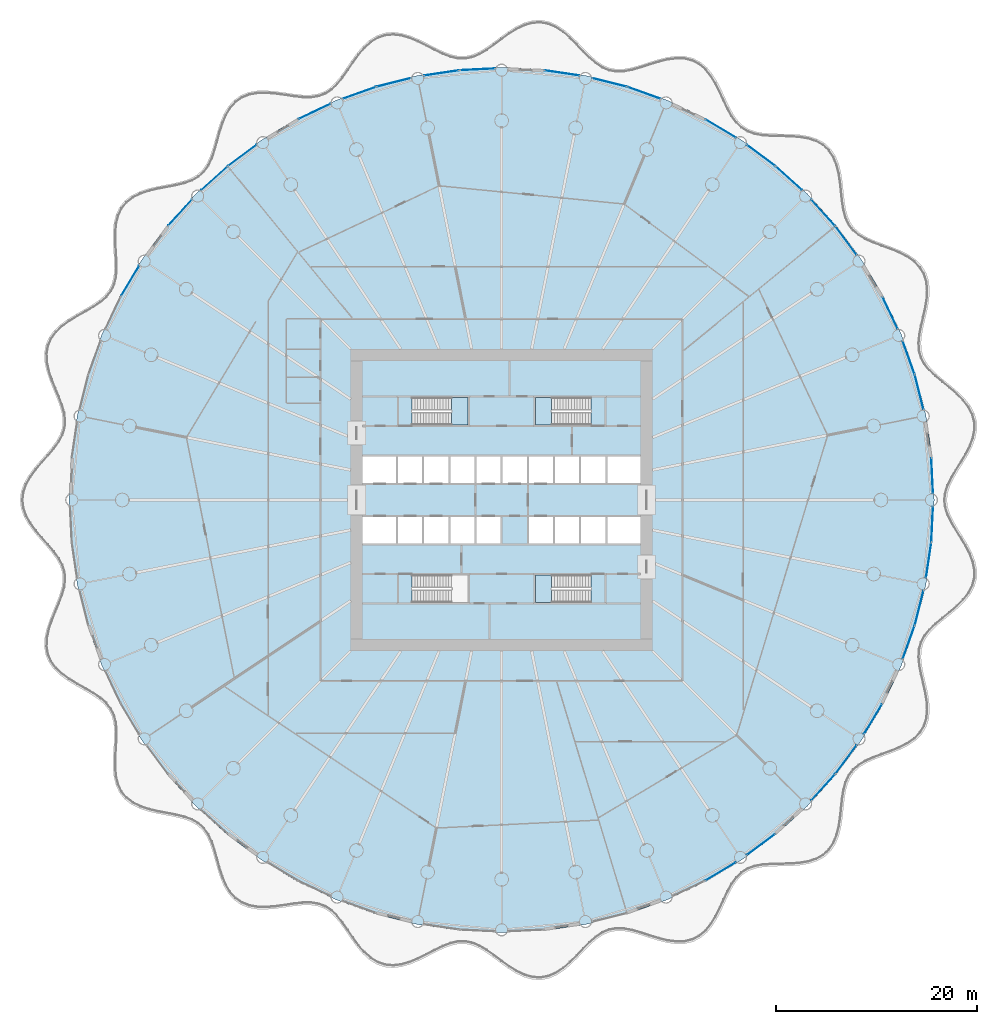
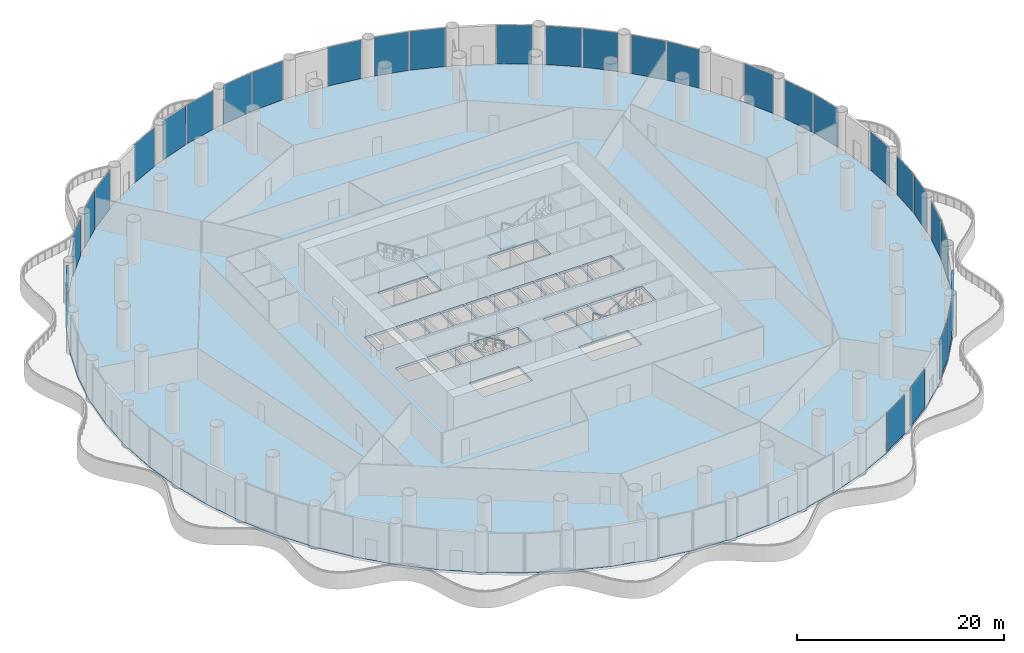
# One storey, part 21 of 35: 30 plates, 4 slabs, 33 elements without a shape of their own.
"""IFC4 building model written with IfcOpenShell, lengths in metres."""

from ifc_helpers import new_model, si_unit, direction, frame, origin, origin_2d, place, context, subcontext, project, spatial, polyline, rectangle, outline, extrude, material, layer, layer_set, type_object, element, aggregate, save


model = new_model("IFC4")

# Units and contexts
model_context = context("Model", 3, precision=1e-05, world=origin(), true_north=direction((0.0, 1.0)))
body_context = subcontext(model_context, "Body", "Model", "MODEL_VIEW")
ifc_project = project(units=[si_unit("LENGTHUNIT", "METRE"), si_unit("AREAUNIT", "SQUARE_METRE"), si_unit("VOLUMEUNIT", "CUBIC_METRE"), si_unit("PLANEANGLEUNIT", "RADIAN"), si_unit("MASSUNIT", "GRAM", prefix="KILO")], contexts=[model_context])

# Site, building, storey
site_placement = place(None, origin())
site = spatial("IfcSite", under=ifc_project, at=site_placement, CompositionType="ELEMENT")
building_placement = place(site_placement, origin())
building = spatial("IfcBuilding", under=site, at=building_placement, Name="Corvane Civic Tower", CompositionType="ELEMENT")
storey_placement = place(building_placement, frame((0.0, 0.0, 22.0)))
storey = spatial("IfcBuildingStorey", under=building, at=storey_placement, Name="L04", CompositionType="ELEMENT", Elevation=22.0)

# Slab
ifc_material_1 = material(Name="Concrete C40/50", Category="concrete")
ifc_layer_1 = layer(ifc_material_1, 0.300048828125)
ifc_layer_set_1 = layer_set([ifc_layer_1], Name="Concrete C40/50")
slab_type_1 = type_object("IfcSlabType", Name="FLOOR SLAB 300", PredefinedType="FLOOR", material=ifc_layer_set_1)
slab_1_placement = place(storey_placement, frame((0.0, 0.0, -0.300048828125)))
element("IfcSlab", 1, at=slab_1_placement, inside=storey, type_object=slab_type_1, Name="SLB-L04", PredefinedType="FLOOR", context=body_context, shape_type="SweptSolid", body=[
    extrude(outline(polyline([(0.0, 43.0), (-4.21484375, 42.79296875), (-8.388916015625, 42.173828125), (-12.482177734375, 41.1484375), (-16.455322265625, 39.726806640625), (-20.27001953125, 37.922607421875), (-23.889404296875, 35.753173828125), (-27.27880859375, 33.239501953125), (-30.405517578125, 30.405517578125), (-33.239501953125, 27.27880859375), (-35.753173828125, 23.889404296875), (-37.922607421875, 20.27001953125), (-39.726806640625, 16.455322265625), (-41.1484375, 12.482177734375), (-42.173828125, 8.388916015625), (-42.79296875, 4.21484375), (-43.0, 0.0), (-42.79296875, -4.21484375), (-42.173828125, -8.388916015625), (-41.1484375, -12.482177734375), (-39.726806640625, -16.455322265625), (-37.922607421875, -20.27001953125), (-35.753173828125, -23.889404296875), (-33.239501953125, -27.27880859375), (-30.405517578125, -30.405517578125), (-27.27880859375, -33.239501953125), (-23.889404296875, -35.753173828125), (-20.27001953125, -37.922607421875), (-16.455322265625, -39.726806640625), (-12.482177734375, -41.1484375), (-8.388916015625, -42.173828125), (-4.21484375, -42.79296875), (0.0, -43.0), (4.21484375, -42.79296875), (8.388916015625, -42.173828125), (12.482177734375, -41.1484375), (16.455322265625, -39.726806640625), (20.27001953125, -37.922607421875), (23.889404296875, -35.753173828125), (27.27880859375, -33.239501953125), (30.405517578125, -30.405517578125), (33.239501953125, -27.27880859375), (35.753173828125, -23.889404296875), (37.922607421875, -20.27001953125), (39.726806640625, -16.455322265625), (41.1484375, -12.482177734375), (42.173828125, -8.388916015625), (42.79296875, -4.21484375), (43.0, 0.0), (42.79296875, 4.21484375), (42.173828125, 8.388916015625), (41.1484375, 12.482177734375), (39.726806640625, 16.455322265625), (37.922607421875, 20.27001953125), (35.753173828125, 23.889404296875), (33.239501953125, 27.27880859375), (30.405517578125, 30.405517578125), (27.27880859375, 33.239501953125), (23.889404296875, 35.753173828125), (20.27001953125, 37.922607421875), (16.455322265625, 39.726806640625), (12.482177734375, 41.1484375), (8.388916015625, 42.173828125), (4.21484375, 42.79296875), (0.0, 43.0)]), holes=[polyline([(-13.800048828125, 4.300048828125), (-10.5, 4.300048828125), (-10.5, 1.699951171875), (-13.800048828125, 1.699951171875), (-13.800048828125, 4.300048828125)]), polyline([(-7.89990234375, 1.699951171875), (-10.300048828125, 1.699951171875), (-10.300048828125, 4.300048828125), (-7.89990234375, 4.300048828125), (-7.89990234375, 1.699951171875)]), polyline([(-7.699951171875, 4.300048828125), (-5.300048828125, 4.300048828125), (-5.300048828125, 1.699951171875), (-7.699951171875, 1.699951171875), (-7.699951171875, 4.300048828125)]), polyline([(-5.10009765625, 4.300048828125), (-2.699951171875, 4.300048828125), (-2.699951171875, 1.699951171875), (-5.10009765625, 1.699951171875), (-5.10009765625, 4.300048828125)]), polyline([(-2.5, 4.300048828125), (-0.10009765625, 4.300048828125), (-0.10009765625, 1.699951171875), (-2.5, 1.699951171875), (-2.5, 4.300048828125)]), polyline([(2.5, 1.699951171875), (0.10009765625, 1.699951171875), (0.10009765625, 4.300048828125), (2.5, 4.300048828125), (2.5, 1.699951171875)]), polyline([(5.10009765625, 1.699951171875), (2.699951171875, 1.699951171875), (2.699951171875, 4.300048828125), (5.10009765625, 4.300048828125), (5.10009765625, 1.699951171875)]), polyline([(5.300048828125, 4.300048828125), (7.699951171875, 4.300048828125), (7.699951171875, 1.699951171875), (5.300048828125, 1.699951171875), (5.300048828125, 4.300048828125)]), polyline([(7.89990234375, 4.300048828125), (10.300048828125, 4.300048828125), (10.300048828125, 1.699951171875), (7.89990234375, 1.699951171875), (7.89990234375, 4.300048828125)]), polyline([(13.800048828125, 1.699951171875), (10.5, 1.699951171875), (10.5, 4.300048828125), (13.800048828125, 4.300048828125), (13.800048828125, 1.699951171875)]), polyline([(-13.800048828125, -1.699951171875), (-10.5, -1.699951171875), (-10.5, -4.300048828125), (-13.800048828125, -4.300048828125), (-13.800048828125, -1.699951171875)]), polyline([(-10.300048828125, -1.699951171875), (-7.89990234375, -1.699951171875), (-7.89990234375, -4.300048828125), (-10.300048828125, -4.300048828125), (-10.300048828125, -1.699951171875)]), polyline([(-7.699951171875, -1.699951171875), (-5.300048828125, -1.699951171875), (-5.300048828125, -4.300048828125), (-7.699951171875, -4.300048828125), (-7.699951171875, -1.699951171875)]), polyline([(-5.10009765625, -1.699951171875), (-2.699951171875, -1.699951171875), (-2.699951171875, -4.300048828125), (-5.10009765625, -4.300048828125), (-5.10009765625, -1.699951171875)]), polyline([(-2.5, -1.699951171875), (-0.10009765625, -1.699951171875), (-0.10009765625, -4.300048828125), (-2.5, -4.300048828125), (-2.5, -1.699951171875)]), polyline([(2.699951171875, -1.699951171875), (5.10009765625, -1.699951171875), (5.10009765625, -4.300048828125), (2.699951171875, -4.300048828125), (2.699951171875, -1.699951171875)]), polyline([(5.300048828125, -4.300048828125), (5.300048828125, -1.699951171875), (7.699951171875, -1.699951171875), (7.699951171875, -4.300048828125), (5.300048828125, -4.300048828125)]), polyline([(7.89990234375, -4.300048828125), (7.89990234375, -1.699951171875), (10.300048828125, -1.699951171875), (10.300048828125, -4.300048828125), (7.89990234375, -4.300048828125)]), polyline([(13.800048828125, -4.300048828125), (10.5, -4.300048828125), (10.5, -1.699951171875), (13.800048828125, -1.699951171875), (13.800048828125, -4.300048828125)]), polyline([(8.889892578125, 10.199951171875), (8.889892578125, 7.449951171875), (3.35009765625, 7.449951171875), (3.35009765625, 10.199951171875), (8.889892578125, 10.199951171875)]), polyline([(-8.889892578125, 7.449951171875), (-8.889892578125, 10.199951171875), (-3.35009765625, 10.199951171875), (-3.35009765625, 7.449951171875), (-8.889892578125, 7.449951171875)]), polyline([(8.889892578125, -7.449951171875), (8.889892578125, -10.199951171875), (3.35009765625, -10.199951171875), (3.35009765625, -7.449951171875), (8.889892578125, -7.449951171875)]), polyline([(-8.889892578125, -10.199951171875), (-8.889892578125, -7.449951171875), (-3.35009765625, -7.449951171875), (-3.35009765625, -10.199951171875), (-8.889892578125, -10.199951171875)])]), origin(), (0.0, 0.0, 1.0), 0.300048828125),
])

# Curtain wall, plate
ifc_material_2 = material(Name="Aluminium and glass", Category="aluminium")
curtain_wall_type = type_object("IfcCurtainWallType", Name="PODIUM-CW-P-RUN", PredefinedType="NOTDEFINED", material=ifc_material_2)
curtain_wall_1_placement = place(storey_placement, origin())
curtain_wall_1 = element("IfcCurtainWall", 2, at=curtain_wall_1_placement, inside=storey, type_object=curtain_wall_type, Name="PODI run L04-drum-01B", PredefinedType="NOTDEFINED")
ifc_material_3 = material(Name="Glass tinted low-e laminated", Category="glass")
ifc_layer_2 = layer(ifc_material_3, 0.031982421875)
ifc_layer_set_2 = layer_set([ifc_layer_2], Name="Glass tinted low-e laminated")
plate_type = type_object("IfcPlateType", Name="PODIUM-CWP-PANEL-IGU32", PredefinedType="CURTAIN_PANEL", material=ifc_layer_set_2)
plate_1_placement = place(storey_placement, frame((5.991943359375, 42.4384765625, 0.06005859375), z_axis=(0.0, 0.0, 1.0), x_axis=(0.989178850608, -0.146714694252, 0.0)))
plate_1 = element("IfcPlate", 3, at=plate_1_placement, type_object=plate_type, Name="CW-P panel 1.1", PredefinedType="CURTAIN_PANEL", context=body_context, shape_type="SweptSolid", body=[
    extrude(rectangle(XDim=3.459716796875, YDim=0.031982421875, at=origin_2d()), origin(), (0.0, 0.0, 1.0), 4.580078125),
])
aggregate(curtain_wall_1, [plate_1])

curtain_wall_2_placement = place(storey_placement, origin())
curtain_wall_2 = element("IfcCurtainWall", 4, at=curtain_wall_2_placement, inside=storey, type_object=curtain_wall_type, Name="PODI run L04-drum-02A", PredefinedType="NOTDEFINED")
plate_2_placement = place(storey_placement, frame((10.70458984375, 41.5009765625, 0.06005859375), z_axis=(0.0, 0.0, 1.0), x_axis=(0.970024070659, -0.243008852393, 0.0)))
plate_2 = element("IfcPlate", 5, at=plate_2_placement, type_object=plate_type, Name="CW-P panel 1.1", PredefinedType="CURTAIN_PANEL", context=body_context, shape_type="SweptSolid", body=[
    extrude(rectangle(XDim=3.459716796875, YDim=0.031982421875, at=origin_2d()), origin(), (0.0, 0.0, 1.0), 4.580078125),
])
aggregate(curtain_wall_2, [plate_2])

curtain_wall_3_placement = place(storey_placement, origin())
curtain_wall_3 = element("IfcCurtainWall", 6, at=curtain_wall_3_placement, inside=storey, type_object=curtain_wall_type, Name="PODI run L04-drum-02B", PredefinedType="NOTDEFINED")
plate_3_placement = place(storey_placement, frame((14.156005859375, 40.453857421875, 0.06005859375), z_axis=(0.0, 0.0, 1.0), x_axis=(0.941533802561, -0.336918534123, 0.0)))
plate_3 = element("IfcPlate", 7, at=plate_3_placement, type_object=plate_type, Name="CW-P panel 1.1", PredefinedType="CURTAIN_PANEL", context=body_context, shape_type="SweptSolid", body=[
    extrude(rectangle(XDim=3.459716796875, YDim=0.031982421875, at=origin_2d()), origin(), (0.0, 0.0, 1.0), 4.580078125),
])
aggregate(curtain_wall_3, [plate_3])

curtain_wall_4_placement = place(storey_placement, origin())
curtain_wall_4 = element("IfcCurtainWall", 8, at=curtain_wall_4_placement, inside=storey, type_object=curtain_wall_type, Name="PODI run L04-drum-03B", PredefinedType="NOTDEFINED")
plate_4_placement = place(storey_placement, frame((21.776123046875, 36.914794921875, 0.06005859375), z_axis=(0.0, 0.0, 1.0), x_axis=(0.857719609779, -0.514117759857, 0.0)))
plate_4 = element("IfcPlate", 9, at=plate_4_placement, type_object=plate_type, Name="CW-P panel 1.1", PredefinedType="CURTAIN_PANEL", context=body_context, shape_type="SweptSolid", body=[
    extrude(rectangle(XDim=3.459716796875, YDim=0.031982421875, at=origin_2d()), origin(), (0.0, 0.0, 1.0), 4.580078125),
])
aggregate(curtain_wall_4, [plate_4])

curtain_wall_5_placement = place(storey_placement, origin())
curtain_wall_5 = element("IfcCurtainWall", 10, at=curtain_wall_5_placement, inside=storey, type_object=curtain_wall_type, Name="PODI run L04-drum-04A", PredefinedType="NOTDEFINED")
plate_5_placement = place(storey_placement, frame((25.771484375, 34.245361328125, 0.06005859375), z_axis=(0.0, 0.0, 1.0), x_axis=(0.803203229747, -0.595705104665, 0.0)))
plate_5 = element("IfcPlate", 11, at=plate_5_placement, type_object=plate_type, Name="CW-P panel 1.1", PredefinedType="CURTAIN_PANEL", context=body_context, shape_type="SweptSolid", body=[
    extrude(rectangle(XDim=3.459716796875, YDim=0.031982421875, at=origin_2d()), origin(), (0.0, 0.0, 1.0), 4.580078125),
])
aggregate(curtain_wall_5, [plate_5])

curtain_wall_6_placement = place(storey_placement, origin())
curtain_wall_6 = element("IfcCurtainWall", 12, at=curtain_wall_6_placement, inside=storey, type_object=curtain_wall_type, Name="PODI run L04-drum-04B", PredefinedType="NOTDEFINED")
plate_6_placement = place(storey_placement, frame((28.5595703125, 31.957275390625, 0.06005859375), z_axis=(0.0, 0.0, 1.0), x_axis=(0.740935261089, -0.671576457952, 0.0)))
plate_6 = element("IfcPlate", 13, at=plate_6_placement, type_object=plate_type, Name="CW-P panel 1.1", PredefinedType="CURTAIN_PANEL", context=body_context, shape_type="SweptSolid", body=[
    extrude(rectangle(XDim=3.4599609375, YDim=0.031982421875, at=origin_2d()), origin(), (0.0, 0.0, 1.0), 4.580078125),
])
aggregate(curtain_wall_6, [plate_6])

curtain_wall_7_placement = place(storey_placement, origin())
curtain_wall_7 = element("IfcCurtainWall", 14, at=curtain_wall_7_placement, inside=storey, type_object=curtain_wall_type, Name="PODI run L04-drum-05A", PredefinedType="NOTDEFINED")
plate_7_placement = place(storey_placement, frame((31.957275390625, 28.5595703125, 0.06005859375), z_axis=(0.0, 0.0, 1.0), x_axis=(0.671576457952, -0.740935261089, 0.0)))
plate_7 = element("IfcPlate", 15, at=plate_7_placement, type_object=plate_type, Name="CW-P panel 1.1", PredefinedType="CURTAIN_PANEL", context=body_context, shape_type="SweptSolid", body=[
    extrude(rectangle(XDim=3.4599609375, YDim=0.031982421875, at=origin_2d()), origin(), (0.0, 0.0, 1.0), 4.580078125),
])
aggregate(curtain_wall_7, [plate_7])

curtain_wall_8_placement = place(storey_placement, origin())
curtain_wall_8 = element("IfcCurtainWall", 16, at=curtain_wall_8_placement, inside=storey, type_object=curtain_wall_type, Name="PODI run L04-drum-05B", PredefinedType="NOTDEFINED")
plate_8_placement = place(storey_placement, frame((34.245361328125, 25.771484375, 0.06005859375), z_axis=(0.0, 0.0, 1.0), x_axis=(0.595705104665, -0.803203229747, 0.0)))
plate_8 = element("IfcPlate", 17, at=plate_8_placement, type_object=plate_type, Name="CW-P panel 1.1", PredefinedType="CURTAIN_PANEL", context=body_context, shape_type="SweptSolid", body=[
    extrude(rectangle(XDim=3.459716796875, YDim=0.031982421875, at=origin_2d()), origin(), (0.0, 0.0, 1.0), 4.580078125),
])
aggregate(curtain_wall_8, [plate_8])

curtain_wall_9_placement = place(storey_placement, origin())
curtain_wall_9 = element("IfcCurtainWall", 18, at=curtain_wall_9_placement, inside=storey, type_object=curtain_wall_type, Name="PODI run L04-drum-06B", PredefinedType="NOTDEFINED")
plate_9_placement = place(storey_placement, frame((38.614990234375, 18.595458984375, 0.06005859375), z_axis=(0.0, 0.0, 1.0), x_axis=(0.42755312852, -0.903990222454, 0.0)))
plate_9 = element("IfcPlate", 19, at=plate_9_placement, type_object=plate_type, Name="CW-P panel 1.1", PredefinedType="CURTAIN_PANEL", context=body_context, shape_type="SweptSolid", body=[
    extrude(rectangle(XDim=3.4599609375, YDim=0.031982421875, at=origin_2d()), origin(), (0.0, 0.0, 1.0), 4.580078125),
])
aggregate(curtain_wall_9, [plate_9])

curtain_wall_10_placement = place(storey_placement, origin())
curtain_wall_10 = element("IfcCurtainWall", 20, at=curtain_wall_10_placement, inside=storey, type_object=curtain_wall_type, Name="PODI run L04-drum-07A", PredefinedType="NOTDEFINED")
plate_10_placement = place(storey_placement, frame((40.453857421875, 14.156005859375, 0.06005859375), z_axis=(0.0, 0.0, 1.0), x_axis=(0.336918534123, -0.941533802561, 0.0)))
plate_10 = element("IfcPlate", 21, at=plate_10_placement, type_object=plate_type, Name="CW-P panel 1.1", PredefinedType="CURTAIN_PANEL", context=body_context, shape_type="SweptSolid", body=[
    extrude(rectangle(XDim=3.459716796875, YDim=0.031982421875, at=origin_2d()), origin(), (0.0, 0.0, 1.0), 4.580078125),
])
aggregate(curtain_wall_10, [plate_10])

curtain_wall_11_placement = place(storey_placement, origin())
curtain_wall_11 = element("IfcCurtainWall", 22, at=curtain_wall_11_placement, inside=storey, type_object=curtain_wall_type, Name="PODI run L04-drum-07B", PredefinedType="NOTDEFINED")
plate_11_placement = place(storey_placement, frame((41.5009765625, 10.70458984375, 0.06005859375), z_axis=(0.0, 0.0, 1.0), x_axis=(0.243008852393, -0.970024070659, 0.0)))
plate_11 = element("IfcPlate", 23, at=plate_11_placement, type_object=plate_type, Name="CW-P panel 1.1", PredefinedType="CURTAIN_PANEL", context=body_context, shape_type="SweptSolid", body=[
    extrude(rectangle(XDim=3.459716796875, YDim=0.031982421875, at=origin_2d()), origin(), (0.0, 0.0, 1.0), 4.580078125),
])
aggregate(curtain_wall_11, [plate_11])

curtain_wall_12_placement = place(storey_placement, origin())
curtain_wall_12 = element("IfcCurtainWall", 24, at=curtain_wall_12_placement, inside=storey, type_object=curtain_wall_type, Name="PODI run L04-drum-08B", PredefinedType="NOTDEFINED")
plate_12_placement = place(storey_placement, frame((42.7919921875, 2.402587890625, 0.06005859375), z_axis=(0.0, 0.0, 1.0), x_axis=(0.04905015332, -0.998796316803, 0.0)))
plate_12 = element("IfcPlate", 25, at=plate_12_placement, type_object=plate_type, Name="CW-P panel 1.1", PredefinedType="CURTAIN_PANEL", context=body_context, shape_type="SweptSolid", body=[
    extrude(rectangle(XDim=3.4599609375, YDim=0.031982421875, at=origin_2d()), origin(), (0.0, 0.0, 1.0), 4.580078125),
])
aggregate(curtain_wall_12, [plate_12])

curtain_wall_13_placement = place(storey_placement, origin())
curtain_wall_13 = element("IfcCurtainWall", 26, at=curtain_wall_13_placement, inside=storey, type_object=curtain_wall_type, Name="PODI run L04-drum-09A", PredefinedType="NOTDEFINED")
plate_13_placement = place(storey_placement, frame((42.7919921875, -2.402587890625, 0.06005859375), z_axis=(0.0, 0.0, 1.0), x_axis=(-0.04905015332, -0.998796316803, 0.0)))
plate_13 = element("IfcPlate", 27, at=plate_13_placement, type_object=plate_type, Name="CW-P panel 1.1", PredefinedType="CURTAIN_PANEL", context=body_context, shape_type="SweptSolid", body=[
    extrude(rectangle(XDim=3.4599609375, YDim=0.031982421875, at=origin_2d()), origin(), (0.0, 0.0, 1.0), 4.580078125),
])
aggregate(curtain_wall_13, [plate_13])

curtain_wall_14_placement = place(storey_placement, origin())
curtain_wall_14 = element("IfcCurtainWall", 28, at=curtain_wall_14_placement, inside=storey, type_object=curtain_wall_type, Name="PODI run L04-drum-09B", PredefinedType="NOTDEFINED")
plate_14_placement = place(storey_placement, frame((42.4384765625, -5.991943359375, 0.06005859375), z_axis=(0.0, 0.0, 1.0), x_axis=(-0.146714694252, -0.989178850608, 0.0)))
plate_14 = element("IfcPlate", 29, at=plate_14_placement, type_object=plate_type, Name="CW-P panel 1.1", PredefinedType="CURTAIN_PANEL", context=body_context, shape_type="SweptSolid", body=[
    extrude(rectangle(XDim=3.459716796875, YDim=0.031982421875, at=origin_2d()), origin(), (0.0, 0.0, 1.0), 4.580078125),
])
aggregate(curtain_wall_14, [plate_14])

curtain_wall_15_placement = place(storey_placement, origin())
curtain_wall_15 = element("IfcCurtainWall", 30, at=curtain_wall_15_placement, inside=storey, type_object=curtain_wall_type, Name="PODI run L04-drum-10A", PredefinedType="NOTDEFINED")
plate_15_placement = place(storey_placement, frame((41.5009765625, -10.70458984375, 0.06005859375), z_axis=(0.0, 0.0, 1.0), x_axis=(-0.243008852393, -0.970024070659, 0.0)))
plate_15 = element("IfcPlate", 31, at=plate_15_placement, type_object=plate_type, Name="CW-P panel 1.1", PredefinedType="CURTAIN_PANEL", context=body_context, shape_type="SweptSolid", body=[
    extrude(rectangle(XDim=3.459716796875, YDim=0.031982421875, at=origin_2d()), origin(), (0.0, 0.0, 1.0), 4.580078125),
])
aggregate(curtain_wall_15, [plate_15])

curtain_wall_16_placement = place(storey_placement, origin())
curtain_wall_16 = element("IfcCurtainWall", 32, at=curtain_wall_16_placement, inside=storey, type_object=curtain_wall_type, Name="PODI run L04-drum-10B", PredefinedType="NOTDEFINED")
plate_16_placement = place(storey_placement, frame((40.453857421875, -14.156005859375, 0.06005859375), z_axis=(0.0, 0.0, 1.0), x_axis=(-0.336918534123, -0.941533802561, 0.0)))
plate_16 = element("IfcPlate", 33, at=plate_16_placement, type_object=plate_type, Name="CW-P panel 1.1", PredefinedType="CURTAIN_PANEL", context=body_context, shape_type="SweptSolid", body=[
    extrude(rectangle(XDim=3.459716796875, YDim=0.031982421875, at=origin_2d()), origin(), (0.0, 0.0, 1.0), 4.580078125),
])
aggregate(curtain_wall_16, [plate_16])

curtain_wall_17_placement = place(storey_placement, origin())
curtain_wall_17 = element("IfcCurtainWall", 34, at=curtain_wall_17_placement, inside=storey, type_object=curtain_wall_type, Name="PODI run L04-drum-11B", PredefinedType="NOTDEFINED")
plate_17_placement = place(storey_placement, frame((36.914794921875, -21.776123046875, 0.06005859375), z_axis=(0.0, 0.0, 1.0), x_axis=(-0.514117759857, -0.857719609779, 0.0)))
plate_17 = element("IfcPlate", 35, at=plate_17_placement, type_object=plate_type, Name="CW-P panel 1.1", PredefinedType="CURTAIN_PANEL", context=body_context, shape_type="SweptSolid", body=[
    extrude(rectangle(XDim=3.459716796875, YDim=0.031982421875, at=origin_2d()), origin(), (0.0, 0.0, 1.0), 4.580078125),
])
aggregate(curtain_wall_17, [plate_17])

curtain_wall_18_placement = place(storey_placement, origin())
curtain_wall_18 = element("IfcCurtainWall", 36, at=curtain_wall_18_placement, inside=storey, type_object=curtain_wall_type, Name="PODI run L04-drum-12A", PredefinedType="NOTDEFINED")
plate_18_placement = place(storey_placement, frame((34.245361328125, -25.771484375, 0.06005859375), z_axis=(0.0, 0.0, 1.0), x_axis=(-0.595705104665, -0.803203229747, 0.0)))
plate_18 = element("IfcPlate", 37, at=plate_18_placement, type_object=plate_type, Name="CW-P panel 1.1", PredefinedType="CURTAIN_PANEL", context=body_context, shape_type="SweptSolid", body=[
    extrude(rectangle(XDim=3.459716796875, YDim=0.031982421875, at=origin_2d()), origin(), (0.0, 0.0, 1.0), 4.580078125),
])
aggregate(curtain_wall_18, [plate_18])

curtain_wall_19_placement = place(storey_placement, origin())
curtain_wall_19 = element("IfcCurtainWall", 38, at=curtain_wall_19_placement, inside=storey, type_object=curtain_wall_type, Name="PODI run L04-drum-12B", PredefinedType="NOTDEFINED")
plate_19_placement = place(storey_placement, frame((31.957275390625, -28.5595703125, 0.06005859375), z_axis=(0.0, 0.0, 1.0), x_axis=(-0.671576457952, -0.740935261089, 0.0)))
plate_19 = element("IfcPlate", 39, at=plate_19_placement, type_object=plate_type, Name="CW-P panel 1.1", PredefinedType="CURTAIN_PANEL", context=body_context, shape_type="SweptSolid", body=[
    extrude(rectangle(XDim=3.4599609375, YDim=0.031982421875, at=origin_2d()), origin(), (0.0, 0.0, 1.0), 4.580078125),
])
aggregate(curtain_wall_19, [plate_19])

curtain_wall_20_placement = place(storey_placement, origin())
curtain_wall_20 = element("IfcCurtainWall", 40, at=curtain_wall_20_placement, inside=storey, type_object=curtain_wall_type, Name="PODI run L04-drum-13B", PredefinedType="NOTDEFINED")
plate_20_placement = place(storey_placement, frame((25.771484375, -34.245361328125, 0.06005859375), z_axis=(0.0, 0.0, 1.0), x_axis=(-0.803203229747, -0.595705104665, 0.0)))
plate_20 = element("IfcPlate", 41, at=plate_20_placement, type_object=plate_type, Name="CW-P panel 1.1", PredefinedType="CURTAIN_PANEL", context=body_context, shape_type="SweptSolid", body=[
    extrude(rectangle(XDim=3.459716796875, YDim=0.031982421875, at=origin_2d()), origin(), (0.0, 0.0, 1.0), 4.580078125),
])
aggregate(curtain_wall_20, [plate_20])

curtain_wall_21_placement = place(storey_placement, origin())
curtain_wall_21 = element("IfcCurtainWall", 42, at=curtain_wall_21_placement, inside=storey, type_object=curtain_wall_type, Name="PODI run L04-drum-14A", PredefinedType="NOTDEFINED")
plate_21_placement = place(storey_placement, frame((21.776123046875, -36.914794921875, 0.06005859375), z_axis=(0.0, 0.0, 1.0), x_axis=(-0.857719609779, -0.514117759857, 0.0)))
plate_21 = element("IfcPlate", 43, at=plate_21_placement, type_object=plate_type, Name="CW-P panel 1.1", PredefinedType="CURTAIN_PANEL", context=body_context, shape_type="SweptSolid", body=[
    extrude(rectangle(XDim=3.459716796875, YDim=0.031982421875, at=origin_2d()), origin(), (0.0, 0.0, 1.0), 4.580078125),
])
aggregate(curtain_wall_21, [plate_21])

curtain_wall_22_placement = place(storey_placement, origin())
curtain_wall_22 = element("IfcCurtainWall", 44, at=curtain_wall_22_placement, inside=storey, type_object=curtain_wall_type, Name="PODI run L04-drum-27B", PredefinedType="NOTDEFINED")
plate_22_placement = place(storey_placement, frame((-36.914794921875, 21.776123046875, 0.06005859375), z_axis=(0.0, 0.0, 1.0), x_axis=(0.514117759857, 0.857719609779, 0.0)))
plate_22 = element("IfcPlate", 45, at=plate_22_placement, type_object=plate_type, Name="CW-P panel 1.1", PredefinedType="CURTAIN_PANEL", context=body_context, shape_type="SweptSolid", body=[
    extrude(rectangle(XDim=3.459716796875, YDim=0.031982421875, at=origin_2d()), origin(), (0.0, 0.0, 1.0), 4.580078125),
])
aggregate(curtain_wall_22, [plate_22])

curtain_wall_23_placement = place(storey_placement, origin())
curtain_wall_23 = element("IfcCurtainWall", 46, at=curtain_wall_23_placement, inside=storey, type_object=curtain_wall_type, Name="PODI run L04-drum-28B", PredefinedType="NOTDEFINED")
plate_23_placement = place(storey_placement, frame((-31.957275390625, 28.5595703125, 0.06005859375), z_axis=(0.0, 0.0, 1.0), x_axis=(0.671576457952, 0.740935261089, 0.0)))
plate_23 = element("IfcPlate", 47, at=plate_23_placement, type_object=plate_type, Name="CW-P panel 1.1", PredefinedType="CURTAIN_PANEL", context=body_context, shape_type="SweptSolid", body=[
    extrude(rectangle(XDim=3.4599609375, YDim=0.031982421875, at=origin_2d()), origin(), (0.0, 0.0, 1.0), 4.580078125),
])
aggregate(curtain_wall_23, [plate_23])

curtain_wall_24_placement = place(storey_placement, origin())
curtain_wall_24 = element("IfcCurtainWall", 48, at=curtain_wall_24_placement, inside=storey, type_object=curtain_wall_type, Name="PODI run L04-drum-29A", PredefinedType="NOTDEFINED")
plate_24_placement = place(storey_placement, frame((-28.5595703125, 31.957275390625, 0.06005859375), z_axis=(0.0, 0.0, 1.0), x_axis=(0.740935261089, 0.671576457952, 0.0)))
plate_24 = element("IfcPlate", 49, at=plate_24_placement, type_object=plate_type, Name="CW-P panel 1.1", PredefinedType="CURTAIN_PANEL", context=body_context, shape_type="SweptSolid", body=[
    extrude(rectangle(XDim=3.4599609375, YDim=0.031982421875, at=origin_2d()), origin(), (0.0, 0.0, 1.0), 4.580078125),
])
aggregate(curtain_wall_24, [plate_24])

curtain_wall_25_placement = place(storey_placement, origin())
curtain_wall_25 = element("IfcCurtainWall", 50, at=curtain_wall_25_placement, inside=storey, type_object=curtain_wall_type, Name="PODI run L04-drum-29B", PredefinedType="NOTDEFINED")
plate_25_placement = place(storey_placement, frame((-25.771484375, 34.245361328125, 0.06005859375), z_axis=(0.0, 0.0, 1.0), x_axis=(0.803203229747, 0.595705104665, 0.0)))
plate_25 = element("IfcPlate", 51, at=plate_25_placement, type_object=plate_type, Name="CW-P panel 1.1", PredefinedType="CURTAIN_PANEL", context=body_context, shape_type="SweptSolid", body=[
    extrude(rectangle(XDim=3.459716796875, YDim=0.031982421875, at=origin_2d()), origin(), (0.0, 0.0, 1.0), 4.580078125),
])
aggregate(curtain_wall_25, [plate_25])

curtain_wall_26_placement = place(storey_placement, origin())
curtain_wall_26 = element("IfcCurtainWall", 52, at=curtain_wall_26_placement, inside=storey, type_object=curtain_wall_type, Name="PODI run L04-drum-30B", PredefinedType="NOTDEFINED")
plate_26_placement = place(storey_placement, frame((-18.595458984375, 38.614990234375, 0.06005859375), z_axis=(0.0, 0.0, 1.0), x_axis=(0.903990222454, 0.42755312852, 0.0)))
plate_26 = element("IfcPlate", 53, at=plate_26_placement, type_object=plate_type, Name="CW-P panel 1.1", PredefinedType="CURTAIN_PANEL", context=body_context, shape_type="SweptSolid", body=[
    extrude(rectangle(XDim=3.4599609375, YDim=0.031982421875, at=origin_2d()), origin(), (0.0, 0.0, 1.0), 4.580078125),
])
aggregate(curtain_wall_26, [plate_26])

curtain_wall_27_placement = place(storey_placement, origin())
curtain_wall_27 = element("IfcCurtainWall", 54, at=curtain_wall_27_placement, inside=storey, type_object=curtain_wall_type, Name="PODI run L04-drum-31A", PredefinedType="NOTDEFINED")
plate_27_placement = place(storey_placement, frame((-14.156005859375, 40.453857421875, 0.06005859375), z_axis=(0.0, 0.0, 1.0), x_axis=(0.941533802561, 0.336918534123, 0.0)))
plate_27 = element("IfcPlate", 55, at=plate_27_placement, type_object=plate_type, Name="CW-P panel 1.1", PredefinedType="CURTAIN_PANEL", context=body_context, shape_type="SweptSolid", body=[
    extrude(rectangle(XDim=3.459716796875, YDim=0.031982421875, at=origin_2d()), origin(), (0.0, 0.0, 1.0), 4.580078125),
])
aggregate(curtain_wall_27, [plate_27])

curtain_wall_28_placement = place(storey_placement, origin())
curtain_wall_28 = element("IfcCurtainWall", 56, at=curtain_wall_28_placement, inside=storey, type_object=curtain_wall_type, Name="PODI run L04-drum-31B", PredefinedType="NOTDEFINED")
plate_28_placement = place(storey_placement, frame((-10.70458984375, 41.5009765625, 0.06005859375), z_axis=(0.0, 0.0, 1.0), x_axis=(0.970024070659, 0.243008852393, 0.0)))
plate_28 = element("IfcPlate", 57, at=plate_28_placement, type_object=plate_type, Name="CW-P panel 1.1", PredefinedType="CURTAIN_PANEL", context=body_context, shape_type="SweptSolid", body=[
    extrude(rectangle(XDim=3.459716796875, YDim=0.031982421875, at=origin_2d()), origin(), (0.0, 0.0, 1.0), 4.580078125),
])
aggregate(curtain_wall_28, [plate_28])

curtain_wall_29_placement = place(storey_placement, origin())
curtain_wall_29 = element("IfcCurtainWall", 58, at=curtain_wall_29_placement, inside=storey, type_object=curtain_wall_type, Name="PODI run L04-drum-32A", PredefinedType="NOTDEFINED")
plate_29_placement = place(storey_placement, frame((-5.991943359375, 42.4384765625, 0.06005859375), z_axis=(0.0, 0.0, 1.0), x_axis=(0.989178850608, 0.146714694252, 0.0)))
plate_29 = element("IfcPlate", 59, at=plate_29_placement, type_object=plate_type, Name="CW-P panel 1.1", PredefinedType="CURTAIN_PANEL", context=body_context, shape_type="SweptSolid", body=[
    extrude(rectangle(XDim=3.459716796875, YDim=0.031982421875, at=origin_2d()), origin(), (0.0, 0.0, 1.0), 4.580078125),
])
aggregate(curtain_wall_29, [plate_29])

curtain_wall_30_placement = place(storey_placement, origin())
curtain_wall_30 = element("IfcCurtainWall", 60, at=curtain_wall_30_placement, inside=storey, type_object=curtain_wall_type, Name="PODI run L04-drum-32B", PredefinedType="NOTDEFINED")
plate_30_placement = place(storey_placement, frame((-2.402587890625, 42.7919921875, 0.06005859375), z_axis=(0.0, 0.0, 1.0), x_axis=(0.998796316803, 0.04905015332, 0.0)))
plate_30 = element("IfcPlate", 61, at=plate_30_placement, type_object=plate_type, Name="CW-P panel 1.1", PredefinedType="CURTAIN_PANEL", context=body_context, shape_type="SweptSolid", body=[
    extrude(rectangle(XDim=3.4599609375, YDim=0.031982421875, at=origin_2d()), origin(), (0.0, 0.0, 1.0), 4.580078125),
])
aggregate(curtain_wall_30, [plate_30])

# Stair, slab
ifc_material_4 = material(Name="Concrete C40/50", Category="concrete")
stair_type = type_object("IfcStairType", Name="ST-STAIR-HALFTURN", PredefinedType="HALF_TURN_STAIR", material=ifc_material_4)
stair_1_placement = place(storey_placement, origin())
stair_1 = element("IfcStair", 62, at=stair_1_placement, inside=storey, type_object=stair_type, Name="L04 Exit stair ST1", PredefinedType="HALF_TURN_STAIR")
ifc_material_5 = material(Name="Concrete C40/50", Category="concrete")
ifc_layer_3 = layer(ifc_material_5, 0.199951171875)
ifc_layer_set_3 = layer_set([ifc_layer_3], Name="Concrete C40/50")
slab_type_2 = type_object("IfcSlabType", Name="ST-LANDING-RC", PredefinedType="LANDING", material=ifc_layer_set_3)
slab_2_placement = place(storey_placement, frame((0.0, 0.0, 2.300048828125)))
slab_2 = element("IfcSlab", 63, at=slab_2_placement, type_object=slab_type_2, Name="ST1 landing 1", PredefinedType="LANDING", context=body_context, shape_type="SweptSolid", body=[
    extrude(outline(polyline([(4.97998046875, 10.199951171875), (3.35009765625, 10.199951171875), (3.35009765625, 7.449951171875), (4.97998046875, 7.449951171875), (4.97998046875, 10.199951171875)])), origin(), (0.0, 0.0, 1.0), 0.199951171875),
])
aggregate(stair_1, [slab_2])

stair_2_placement = place(storey_placement, origin())
stair_2 = element("IfcStair", 64, at=stair_2_placement, inside=storey, type_object=stair_type, Name="L04 Exit stair ST2", PredefinedType="HALF_TURN_STAIR")
slab_3_placement = place(storey_placement, frame((0.0, 0.0, 2.300048828125)))
slab_3 = element("IfcSlab", 65, at=slab_3_placement, type_object=slab_type_2, Name="ST2 landing 1", PredefinedType="LANDING", context=body_context, shape_type="SweptSolid", body=[
    extrude(outline(polyline([(4.97998046875, -7.449951171875), (3.35009765625, -7.449951171875), (3.35009765625, -10.199951171875), (4.97998046875, -10.199951171875), (4.97998046875, -7.449951171875)])), origin(), (0.0, 0.0, 1.0), 0.199951171875),
])
aggregate(stair_2, [slab_3])

stair_3_placement = place(storey_placement, origin())
stair_3 = element("IfcStair", 66, at=stair_3_placement, inside=storey, type_object=stair_type, Name="L04 Exit stair ST4", PredefinedType="HALF_TURN_STAIR")
slab_4_placement = place(storey_placement, frame((0.0, 0.0, 2.300048828125)))
slab_4 = element("IfcSlab", 67, at=slab_4_placement, type_object=slab_type_2, Name="ST4 landing 1", PredefinedType="LANDING", context=body_context, shape_type="SweptSolid", body=[
    extrude(outline(polyline([(-4.97998046875, 7.449951171875), (-3.35009765625, 7.449951171875), (-3.35009765625, 10.199951171875), (-4.97998046875, 10.199951171875), (-4.97998046875, 7.449951171875)])), origin(), (0.0, 0.0, 1.0), 0.199951171875),
])
aggregate(stair_3, [slab_4])

save(model, "model.ifc")
